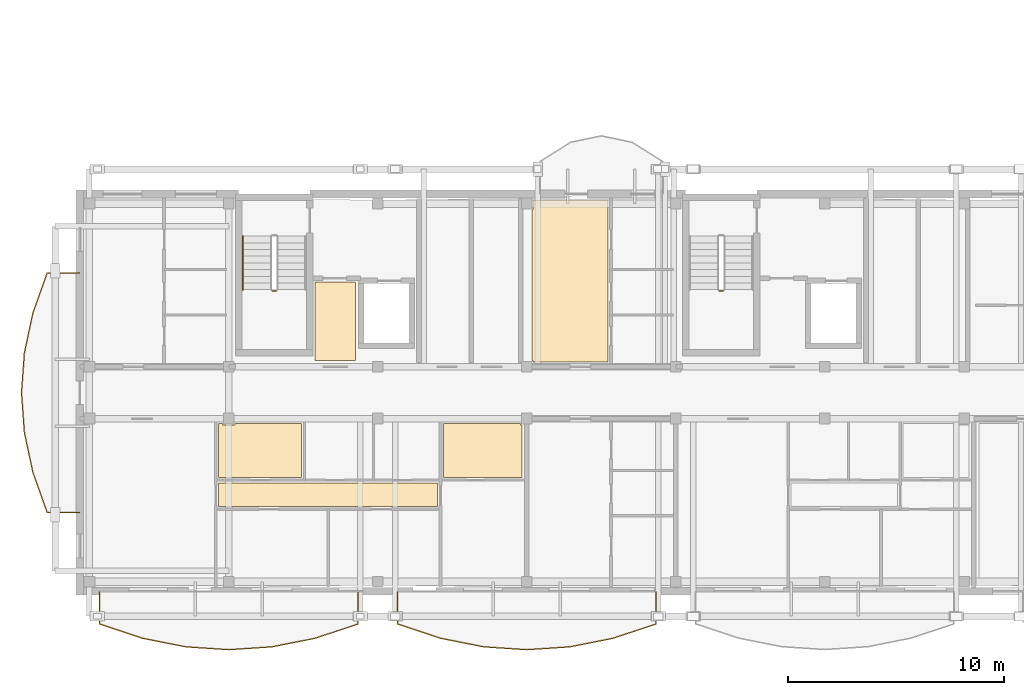
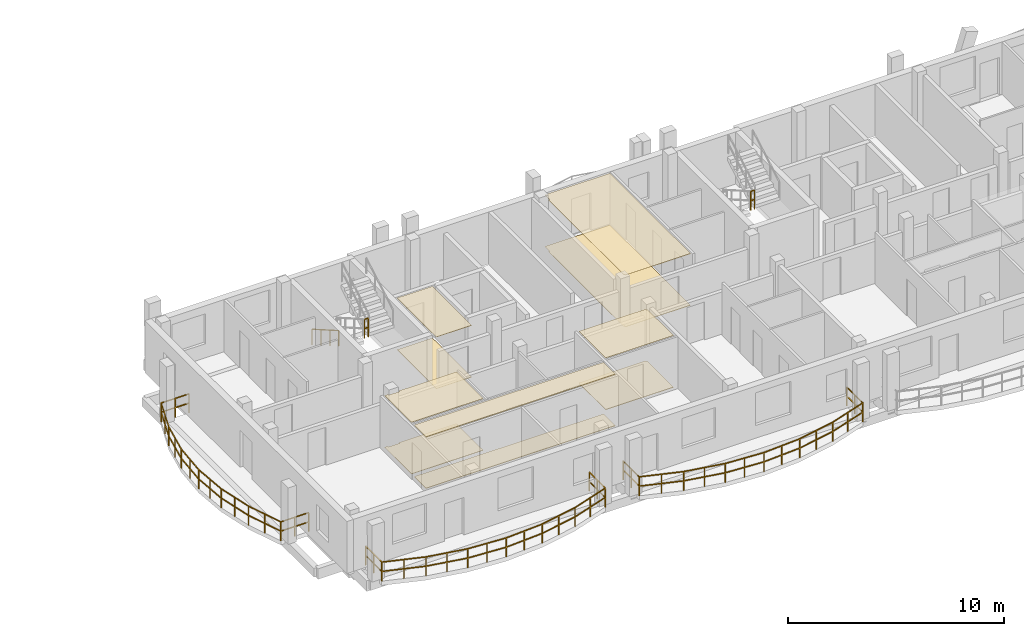
# One storey, part 35 of 44: 10 coverings, 6 railings.
"""IFC4 building model written with IfcOpenShell, lengths in metres."""

from ifc_helpers import new_model, si_unit, direction, frame, origin, origin_2d, place, context, subcontext, project, spatial, polyline, rectangle, outline, extrude, material, layer, layer_set, type_object, element, save


model = new_model("IFC4")

# Units and contexts
model_context = context("Model", 3, precision=1e-05, world=origin(), true_north=direction((0.0, 1.0)))
body_context = subcontext(model_context, "Body", "Model", "MODEL_VIEW")
ifc_project = project(units=[si_unit("LENGTHUNIT", "METRE"), si_unit("AREAUNIT", "SQUARE_METRE"), si_unit("VOLUMEUNIT", "CUBIC_METRE"), si_unit("PLANEANGLEUNIT", "RADIAN"), si_unit("MASSUNIT", "GRAM", prefix="KILO")], contexts=[model_context])

# Site, building, storey
site_placement = place(None, origin())
site = spatial("IfcSite", under=ifc_project, at=site_placement, CompositionType="ELEMENT")
building_placement = place(site_placement, origin())
building = spatial("IfcBuilding", under=site, at=building_placement, Name="Zavelmont Quarter", CompositionType="ELEMENT")
storey_placement = place(building_placement, frame((0.0, 0.0, 20.800048828125)))
storey = spatial("IfcBuildingStorey", under=building, at=storey_placement, Name="L06", CompositionType="ELEMENT", Elevation=20.800048828125)

# Coverings
ifc_material_1 = material(Name="Perforated acoustic gypsum board")
ifc_layer_1 = layer(ifc_material_1, 0.02490234375)
ifc_layer_set_1 = layer_set([ifc_layer_1], Name="Perforated acoustic gypsum board")
covering_type_1 = type_object("IfcCoveringType", Name="CV-CL01", PredefinedType="CEILING", material=ifc_layer_set_1)
covering_1_placement = place(storey_placement, frame((0.0, 0.0, 2.925048828125)))
element("IfcCovering", 1, at=covering_1_placement, inside=storey, type_object=covering_type_1, Name="L06 Lobby Vestibule acoustic ceiling", PredefinedType="CEILING", context=body_context, shape_type="SweptSolid", body=[
    extrude(outline(polyline([(10.8798828125, 14.320068359375), (12.77001953125, 14.320068359375), (12.77001953125, 10.679931640625), (10.8798828125, 10.679931640625), (10.8798828125, 14.320068359375)])), origin(), (0.0, 0.0, 1.0), 0.02490234375),
])
covering_2_placement = place(storey_placement, frame((0.0, 0.0, 2.925048828125)))
element("IfcCovering", 2, at=covering_2_placement, inside=storey, type_object=covering_type_1, Name="L06 Kitchen acoustic ceiling", PredefinedType="CEILING", context=body_context, shape_type="SweptSolid", body=[
    extrude(outline(polyline([(6.429931640625, 7.77001953125), (6.610107421875, 7.77001953125), (6.610107421875, 7.7099609375), (7.18994140625, 7.7099609375), (7.18994140625, 7.77001953125), (10.27001953125, 7.77001953125), (10.27001953125, 5.280029296875), (6.429931640625, 5.280029296875), (6.429931640625, 7.77001953125)])), origin(), (0.0, 0.0, 1.0), 0.02490234375),
])
covering_3_placement = place(storey_placement, frame((0.0, 0.0, 2.925048828125)))
element("IfcCovering", 3, at=covering_3_placement, inside=storey, type_object=covering_type_1, Name="L06 Living Dining acoustic ceiling", PredefinedType="CEILING", context=body_context, shape_type="SweptSolid", body=[
    extrude(outline(polyline([(20.929931640625, 17.669921875), (20.989990234375, 17.669921875), (20.989990234375, 18.1201171875), (24.469970703125, 18.1201171875), (24.469970703125, 10.6298828125), (20.989990234375, 10.6298828125), (20.989990234375, 10.68994140625), (20.929931640625, 10.68994140625), (20.929931640625, 17.669921875)])), origin(), (0.0, 0.0, 1.0), 0.02490234375),
])
ifc_material_2 = material(Name="Slatted European ash acoustic baffle ceiling")
ifc_layer_2 = layer(ifc_material_2, 0.0400390625)
ifc_layer_set_2 = layer_set([ifc_layer_2], Name="Slatted European ash acoustic baffle ceiling")
covering_type_2 = type_object("IfcCoveringType", Name="CV-CL02", PredefinedType="CEILING", material=ifc_layer_set_2)
covering_4_placement = place(storey_placement, frame((0.0, 0.0, 2.909912109375)))
element("IfcCovering", 4, at=covering_4_placement, inside=storey, type_object=covering_type_2, Name="L06 Apartment Hall acoustic ceiling", PredefinedType="CEILING", context=body_context, shape_type="SweptSolid", body=[
    extrude(outline(polyline([(6.429931640625, 5.02001953125), (16.570068359375, 5.02001953125), (16.570068359375, 3.929931640625), (6.429931640625, 3.929931640625), (6.429931640625, 5.02001953125)])), origin(), (0.0, 0.0, 1.0), 0.0400390625),
])
ifc_material_3 = material(Name="Moisture-resistant painted gypsum ceiling")
ifc_layer_3 = layer(ifc_material_3, 0.02001953125)
ifc_layer_set_3 = layer_set([ifc_layer_3], Name="Moisture-resistant painted gypsum ceiling")
covering_type_3 = type_object("IfcCoveringType", Name="CV-CL04", PredefinedType="CEILING", material=ifc_layer_set_3)
covering_5_placement = place(storey_placement, frame((0.0, 0.0, 2.929931640625)))
element("IfcCovering", 5, at=covering_5_placement, inside=storey, type_object=covering_type_3, Name="L06 Bathroom acoustic ceiling", PredefinedType="CEILING", context=body_context, shape_type="SweptSolid", body=[
    extrude(outline(polyline([(16.830078125, 7.77001953125), (20.409912109375, 7.77001953125), (20.409912109375, 7.7099609375), (20.469970703125, 7.7099609375), (20.469970703125, 5.280029296875), (16.830078125, 5.280029296875), (16.830078125, 7.77001953125)])), origin(), (0.0, 0.0, 1.0), 0.02001953125),
])
ifc_material_4 = material(Name="Engineered European oak parquet")
ifc_layer_4 = layer(ifc_material_4, 0.02197265625)
ifc_layer_set_4 = layer_set([ifc_layer_4], Name="Engineered European oak parquet")
covering_type_4 = type_object("IfcCoveringType", Name="CV-FL01", PredefinedType="FLOORING", material=ifc_layer_set_4)
covering_6_placement = place(storey_placement, origin())
element("IfcCovering", 6, at=covering_6_placement, inside=storey, type_object=covering_type_4, Name="L06 Lobby Vestibule floor finish", PredefinedType="FLOORING", context=body_context, shape_type="SweptSolid", body=[
    extrude(outline(polyline([(10.8798828125, 14.320068359375), (12.77001953125, 14.320068359375), (12.77001953125, 10.679931640625), (10.8798828125, 10.679931640625), (10.8798828125, 14.320068359375)])), origin(), (0.0, 0.0, 1.0), 0.02197265625),
])
covering_7_placement = place(storey_placement, origin())
element("IfcCovering", 7, at=covering_7_placement, inside=storey, type_object=covering_type_4, Name="L06 Kitchen floor finish", PredefinedType="FLOORING", context=body_context, shape_type="SweptSolid", body=[
    extrude(outline(polyline([(6.429931640625, 7.77001953125), (6.610107421875, 7.77001953125), (6.610107421875, 7.7099609375), (7.18994140625, 7.7099609375), (7.18994140625, 7.77001953125), (10.27001953125, 7.77001953125), (10.27001953125, 5.280029296875), (6.429931640625, 5.280029296875), (6.429931640625, 7.77001953125)])), origin(), (0.0, 0.0, 1.0), 0.02197265625),
])
covering_8_placement = place(storey_placement, origin())
element("IfcCovering", 8, at=covering_8_placement, inside=storey, type_object=covering_type_4, Name="L06 Living Dining floor finish", PredefinedType="FLOORING", context=body_context, shape_type="SweptSolid", body=[
    extrude(outline(polyline([(20.929931640625, 17.669921875), (20.989990234375, 17.669921875), (20.989990234375, 18.1201171875), (24.469970703125, 18.1201171875), (24.469970703125, 10.6298828125), (20.989990234375, 10.6298828125), (20.989990234375, 10.68994140625), (20.929931640625, 10.68994140625), (20.929931640625, 17.669921875)])), origin(), (0.0, 0.0, 1.0), 0.02197265625),
])
ifc_material_5 = material(Name="Honed Belgian bluestone tile", Category="masonry")
ifc_layer_5 = layer(ifc_material_5, 0.030029296875)
ifc_layer_set_5 = layer_set([ifc_layer_5], Name="Honed Belgian bluestone tile")
covering_type_5 = type_object("IfcCoveringType", Name="CV-FL02", PredefinedType="FLOORING", material=ifc_layer_set_5)
covering_9_placement = place(storey_placement, origin())
element("IfcCovering", 9, at=covering_9_placement, inside=storey, type_object=covering_type_5, Name="L06 Apartment Hall floor finish", PredefinedType="FLOORING", context=body_context, shape_type="SweptSolid", body=[
    extrude(outline(polyline([(6.429931640625, 5.02001953125), (16.570068359375, 5.02001953125), (16.570068359375, 3.929931640625), (6.429931640625, 3.929931640625), (6.429931640625, 5.02001953125)])), origin(), (0.0, 0.0, 1.0), 0.030029296875),
])
ifc_material_6 = material(Name="Slip-resistant porcelain tile")
ifc_layer_6 = layer(ifc_material_6, 0.02587890625)
ifc_layer_set_6 = layer_set([ifc_layer_6], Name="Slip-resistant porcelain tile")
covering_type_6 = type_object("IfcCoveringType", Name="CV-FL04", PredefinedType="FLOORING", material=ifc_layer_set_6)
covering_10_placement = place(storey_placement, origin())
element("IfcCovering", 10, at=covering_10_placement, inside=storey, type_object=covering_type_6, Name="L06 Bathroom floor finish", PredefinedType="FLOORING", context=body_context, shape_type="SweptSolid", body=[
    extrude(outline(polyline([(16.830078125, 7.77001953125), (20.409912109375, 7.77001953125), (20.409912109375, 7.7099609375), (20.469970703125, 7.7099609375), (20.469970703125, 5.280029296875), (16.830078125, 5.280029296875), (16.830078125, 7.77001953125)])), origin(), (0.0, 0.0, 1.0), 0.02587890625),
])

# Railings
ifc_material_7 = material(Name="Powder-coated steel and tempered double safety glass", Category="steel")
railing_type_1 = type_object("IfcRailingType", Name="RL-BAL1", PredefinedType="BALUSTRADE", material=ifc_material_7)
railing_1_placement = place(storey_placement, frame((0.912109375, -0.02001953125, 0.0)))
element("IfcRailing", 11, at=railing_1_placement, inside=storey, type_object=railing_type_1, Name="L06 Block A curved balcony guard RL-BAL1", PredefinedType="BALUSTRADE", context=body_context, shape_type="SweptSolid", body=[
    extrude(rectangle(XDim=0.048095703125, YDim=0.048095703125, at=origin_2d()), frame((0.0, 0.0, 1.076171875), z_axis=(0.0, -1.0, 0.0), x_axis=(1.0, 0.0, 0.0)), (0.0, 0.0, 1.0), 1.494873046875),
    extrude(rectangle(XDim=0.048095703125, YDim=0.048095703125, at=origin_2d()), frame((0.0, 0.0, 0.550048828125), z_axis=(0.0, -1.0, 0.0), x_axis=(1.0, 0.0, 0.0)), (0.0, 0.0, 1.0), 1.494873046875),
    extrude(rectangle(XDim=0.048095703125, YDim=0.048095703125, at=origin_2d()), frame((0.0, -1.494873046875, 1.076171875), z_axis=(0.949285321886, -0.314415930977, 0.0), x_axis=(0.314415930977, 0.949285321886, 0.0)), (0.0, 0.0, 1.0), 2.102783203125),
    extrude(rectangle(XDim=0.048095703125, YDim=0.048095703125, at=origin_2d()), frame((0.0, -1.494873046875, 0.550048828125), z_axis=(0.949285321886, -0.314415930977, 0.0), x_axis=(0.314415930977, 0.949285321886, 0.0)), (0.0, 0.0, 1.0), 2.102783203125),
    extrude(rectangle(XDim=0.048095703125, YDim=0.048095703125, at=origin_2d()), frame((1.99609375, -2.156005859375, 1.076171875), z_axis=(0.980810721794, -0.194962375892, 0.0), x_axis=(0.194962375892, 0.980810721794, 0.0)), (0.0, 0.0, 1.0), 2.034912109375),
    extrude(rectangle(XDim=0.048095703125, YDim=0.048095703125, at=origin_2d()), frame((1.99609375, -2.156005859375, 0.550048828125), z_axis=(0.980810721794, -0.194962375892, 0.0), x_axis=(0.194962375892, 0.980810721794, 0.0)), (0.0, 0.0, 1.0), 2.034912109375),
    extrude(rectangle(XDim=0.048095703125, YDim=0.048095703125, at=origin_2d()), frame((3.991943359375, -2.552734375, 1.076171875), z_axis=(0.997809394486, -0.066154457714, 0.0), x_axis=(0.066154457714, 0.997809394486, 0.0)), (0.0, 0.0, 1.0), 2.000244140625),
    extrude(rectangle(XDim=0.048095703125, YDim=0.048095703125, at=origin_2d()), frame((3.991943359375, -2.552734375, 0.550048828125), z_axis=(0.997809394486, -0.066154457714, 0.0), x_axis=(0.066154457714, 0.997809394486, 0.0)), (0.0, 0.0, 1.0), 2.000244140625),
    extrude(rectangle(XDim=0.048095703125, YDim=0.048095703125, at=origin_2d()), frame((5.98779296875, -2.68505859375, 1.076171875), z_axis=(0.997809928557, 0.06614640182, 0.0), x_axis=(-0.06614640182, 0.997809928557, 0.0)), (0.0, 0.0, 1.0), 2.00048828125),
    extrude(rectangle(XDim=0.048095703125, YDim=0.048095703125, at=origin_2d()), frame((5.98779296875, -2.68505859375, 0.550048828125), z_axis=(0.997809928557, 0.06614640182, 0.0), x_axis=(-0.06614640182, 0.997809928557, 0.0)), (0.0, 0.0, 1.0), 2.00048828125),
    extrude(rectangle(XDim=0.048095703125, YDim=0.048095703125, at=origin_2d()), frame((7.98388671875, -2.552734375, 1.076171875), z_axis=(0.980810721794, 0.194962375892, 0.0), x_axis=(-0.194962375892, 0.980810721794, 0.0)), (0.0, 0.0, 1.0), 2.034912109375),
    extrude(rectangle(XDim=0.048095703125, YDim=0.048095703125, at=origin_2d()), frame((7.98388671875, -2.552734375, 0.550048828125), z_axis=(0.980810721794, 0.194962375892, 0.0), x_axis=(-0.194962375892, 0.980810721794, 0.0)), (0.0, 0.0, 1.0), 2.034912109375),
    extrude(rectangle(XDim=0.048095703125, YDim=0.048095703125, at=origin_2d()), frame((9.979736328125, -2.156005859375, 1.076171875), z_axis=(0.949273842021, 0.314450588892, 0.0), x_axis=(-0.314450588892, 0.949273842021, 0.0)), (0.0, 0.0, 1.0), 2.1025390625),
    extrude(rectangle(XDim=0.048095703125, YDim=0.048095703125, at=origin_2d()), frame((9.979736328125, -2.156005859375, 0.550048828125), z_axis=(0.949273842021, 0.314450588892, 0.0), x_axis=(-0.314450588892, 0.949273842021, 0.0)), (0.0, 0.0, 1.0), 2.1025390625),
    extrude(rectangle(XDim=0.048095703125, YDim=0.048095703125, at=origin_2d()), frame((11.9755859375, -1.494873046875, 1.076171875), z_axis=(0.0, 1.0, 0.0), x_axis=(-1.0, 0.0, 0.0)), (0.0, 0.0, 1.0), 1.494873046875),
    extrude(rectangle(XDim=0.048095703125, YDim=0.048095703125, at=origin_2d()), frame((11.9755859375, -1.494873046875, 0.550048828125), z_axis=(0.0, 1.0, 0.0), x_axis=(-1.0, 0.0, 0.0)), (0.0, 0.0, 1.0), 1.494873046875),
    extrude(rectangle(XDim=0.0419921875, YDim=0.0419921875, at=origin_2d()), origin(), (0.0, 0.0, 1.0), 1.052001953125),
    extrude(rectangle(XDim=0.0419921875, YDim=0.0419921875, at=origin_2d()), frame((0.0, -0.74755859375, 0.0)), (0.0, 0.0, 1.0), 1.052001953125),
    extrude(rectangle(XDim=0.0419921875, YDim=0.0419921875, at=origin_2d()), frame((0.0, -1.494873046875, 0.0)), (0.0, 0.0, 1.0), 1.052001953125),
    extrude(rectangle(XDim=0.0419921875, YDim=0.0419921875, at=origin_2d()), frame((0.998046875, -1.825439453125, 0.0)), (0.0, 0.0, 1.0), 1.052001953125),
    extrude(rectangle(XDim=0.0419921875, YDim=0.0419921875, at=origin_2d()), frame((1.99609375, -2.156005859375, 0.0)), (0.0, 0.0, 1.0), 1.052001953125),
    extrude(rectangle(XDim=0.0419921875, YDim=0.0419921875, at=origin_2d()), frame((2.994140625, -2.3544921875, 0.0)), (0.0, 0.0, 1.0), 1.052001953125),
    extrude(rectangle(XDim=0.0419921875, YDim=0.0419921875, at=origin_2d()), frame((3.991943359375, -2.552734375, 0.0)), (0.0, 0.0, 1.0), 1.052001953125),
    extrude(rectangle(XDim=0.0419921875, YDim=0.0419921875, at=origin_2d()), frame((4.98974609375, -2.618896484375, 0.0)), (0.0, 0.0, 1.0), 1.052001953125),
    extrude(rectangle(XDim=0.0419921875, YDim=0.0419921875, at=origin_2d()), frame((5.98779296875, -2.68505859375, 0.0)), (0.0, 0.0, 1.0), 1.052001953125),
    extrude(rectangle(XDim=0.0419921875, YDim=0.0419921875, at=origin_2d()), frame((6.98583984375, -2.618896484375, 0.0)), (0.0, 0.0, 1.0), 1.052001953125),
    extrude(rectangle(XDim=0.0419921875, YDim=0.0419921875, at=origin_2d()), frame((7.98388671875, -2.552734375, 0.0)), (0.0, 0.0, 1.0), 1.052001953125),
    extrude(rectangle(XDim=0.0419921875, YDim=0.0419921875, at=origin_2d()), frame((8.98193359375, -2.3544921875, 0.0)), (0.0, 0.0, 1.0), 1.052001953125),
    extrude(rectangle(XDim=0.0419921875, YDim=0.0419921875, at=origin_2d()), frame((9.979736328125, -2.156005859375, 0.0)), (0.0, 0.0, 1.0), 1.052001953125),
    extrude(rectangle(XDim=0.0419921875, YDim=0.0419921875, at=origin_2d()), frame((10.9775390625, -1.825439453125, 0.0)), (0.0, 0.0, 1.0), 1.052001953125),
    extrude(rectangle(XDim=0.0419921875, YDim=0.0419921875, at=origin_2d()), frame((11.9755859375, -1.494873046875, 0.0)), (0.0, 0.0, 1.0), 1.052001953125),
    extrude(rectangle(XDim=0.0419921875, YDim=0.0419921875, at=origin_2d()), frame((11.9755859375, -0.74755859375, 0.0)), (0.0, 0.0, 1.0), 1.052001953125),
    extrude(rectangle(XDim=0.0419921875, YDim=0.0419921875, at=origin_2d()), frame((11.9755859375, 0.0, 0.0)), (0.0, 0.0, 1.0), 1.052001953125),
])
railing_2_placement = place(storey_placement, frame((14.712158203125, -0.02001953125, 0.0)))
element("IfcRailing", 12, at=railing_2_placement, inside=storey, type_object=railing_type_1, Name="L06 Block A curved balcony guard RL-BAL1", PredefinedType="BALUSTRADE", context=body_context, shape_type="SweptSolid", body=[
    extrude(rectangle(XDim=0.048095703125, YDim=0.048095703125, at=origin_2d()), frame((0.0, 0.0, 1.076171875), z_axis=(0.0, -1.0, 0.0), x_axis=(1.0, 0.0, 0.0)), (0.0, 0.0, 1.0), 1.494873046875),
    extrude(rectangle(XDim=0.048095703125, YDim=0.048095703125, at=origin_2d()), frame((0.0, 0.0, 0.550048828125), z_axis=(0.0, -1.0, 0.0), x_axis=(1.0, 0.0, 0.0)), (0.0, 0.0, 1.0), 1.494873046875),
    extrude(rectangle(XDim=0.048095703125, YDim=0.048095703125, at=origin_2d()), frame((0.0, -1.494873046875, 1.076171875), z_axis=(0.949273842021, -0.314450588892, 0.0), x_axis=(0.314450588892, 0.949273842021, 0.0)), (0.0, 0.0, 1.0), 2.1025390625),
    extrude(rectangle(XDim=0.048095703125, YDim=0.048095703125, at=origin_2d()), frame((0.0, -1.494873046875, 0.550048828125), z_axis=(0.949273842021, -0.314450588892, 0.0), x_axis=(0.314450588892, 0.949273842021, 0.0)), (0.0, 0.0, 1.0), 2.1025390625),
    extrude(rectangle(XDim=0.048095703125, YDim=0.048095703125, at=origin_2d()), frame((1.995849609375, -2.156005859375, 1.076171875), z_axis=(0.980815281349, -0.194939436423, 0.0), x_axis=(0.194939436423, 0.980815281349, 0.0)), (0.0, 0.0, 1.0), 2.03515625),
    extrude(rectangle(XDim=0.048095703125, YDim=0.048095703125, at=origin_2d()), frame((1.995849609375, -2.156005859375, 0.550048828125), z_axis=(0.980815281349, -0.194939436423, 0.0), x_axis=(0.194939436423, 0.980815281349, 0.0)), (0.0, 0.0, 1.0), 2.03515625),
    extrude(rectangle(XDim=0.048095703125, YDim=0.048095703125, at=origin_2d()), frame((3.991943359375, -2.552734375, 1.076171875), z_axis=(0.997809394486, -0.066154457714, 0.0), x_axis=(0.066154457714, 0.997809394486, 0.0)), (0.0, 0.0, 1.0), 2.000244140625),
    extrude(rectangle(XDim=0.048095703125, YDim=0.048095703125, at=origin_2d()), frame((3.991943359375, -2.552734375, 0.550048828125), z_axis=(0.997809394486, -0.066154457714, 0.0), x_axis=(0.066154457714, 0.997809394486, 0.0)), (0.0, 0.0, 1.0), 2.000244140625),
    extrude(rectangle(XDim=0.048095703125, YDim=0.048095703125, at=origin_2d()), frame((5.98779296875, -2.68505859375, 1.076171875), z_axis=(0.997809394486, 0.066154457714, 0.0), x_axis=(-0.066154457714, 0.997809394486, 0.0)), (0.0, 0.0, 1.0), 2.000244140625),
    extrude(rectangle(XDim=0.048095703125, YDim=0.048095703125, at=origin_2d()), frame((5.98779296875, -2.68505859375, 0.550048828125), z_axis=(0.997809394486, 0.066154457714, 0.0), x_axis=(-0.066154457714, 0.997809394486, 0.0)), (0.0, 0.0, 1.0), 2.000244140625),
    extrude(rectangle(XDim=0.048095703125, YDim=0.048095703125, at=origin_2d()), frame((7.983642578125, -2.552734375, 1.076171875), z_axis=(0.980815281349, 0.194939436423, 0.0), x_axis=(-0.194939436423, 0.980815281349, 0.0)), (0.0, 0.0, 1.0), 2.03515625),
    extrude(rectangle(XDim=0.048095703125, YDim=0.048095703125, at=origin_2d()), frame((7.983642578125, -2.552734375, 0.550048828125), z_axis=(0.980815281349, 0.194939436423, 0.0), x_axis=(-0.194939436423, 0.980815281349, 0.0)), (0.0, 0.0, 1.0), 2.03515625),
    extrude(rectangle(XDim=0.048095703125, YDim=0.048095703125, at=origin_2d()), frame((9.979736328125, -2.156005859375, 1.076171875), z_axis=(0.949273842021, 0.314450588892, 0.0), x_axis=(-0.314450588892, 0.949273842021, 0.0)), (0.0, 0.0, 1.0), 2.1025390625),
    extrude(rectangle(XDim=0.048095703125, YDim=0.048095703125, at=origin_2d()), frame((9.979736328125, -2.156005859375, 0.550048828125), z_axis=(0.949273842021, 0.314450588892, 0.0), x_axis=(-0.314450588892, 0.949273842021, 0.0)), (0.0, 0.0, 1.0), 2.1025390625),
    extrude(rectangle(XDim=0.048095703125, YDim=0.048095703125, at=origin_2d()), frame((11.9755859375, -1.494873046875, 1.076171875), z_axis=(0.0, 1.0, 0.0), x_axis=(-1.0, 0.0, 0.0)), (0.0, 0.0, 1.0), 1.494873046875),
    extrude(rectangle(XDim=0.048095703125, YDim=0.048095703125, at=origin_2d()), frame((11.9755859375, -1.494873046875, 0.550048828125), z_axis=(0.0, 1.0, 0.0), x_axis=(-1.0, 0.0, 0.0)), (0.0, 0.0, 1.0), 1.494873046875),
    extrude(rectangle(XDim=0.0419921875, YDim=0.0419921875, at=origin_2d()), origin(), (0.0, 0.0, 1.0), 1.052001953125),
    extrude(rectangle(XDim=0.0419921875, YDim=0.0419921875, at=origin_2d()), frame((0.0, -0.74755859375, 0.0)), (0.0, 0.0, 1.0), 1.052001953125),
    extrude(rectangle(XDim=0.0419921875, YDim=0.0419921875, at=origin_2d()), frame((0.0, -1.494873046875, 0.0)), (0.0, 0.0, 1.0), 1.052001953125),
    extrude(rectangle(XDim=0.0419921875, YDim=0.0419921875, at=origin_2d()), frame((0.998046875, -1.825439453125, 0.0)), (0.0, 0.0, 1.0), 1.052001953125),
    extrude(rectangle(XDim=0.0419921875, YDim=0.0419921875, at=origin_2d()), frame((1.995849609375, -2.156005859375, 0.0)), (0.0, 0.0, 1.0), 1.052001953125),
    extrude(rectangle(XDim=0.0419921875, YDim=0.0419921875, at=origin_2d()), frame((2.993896484375, -2.3544921875, 0.0)), (0.0, 0.0, 1.0), 1.052001953125),
    extrude(rectangle(XDim=0.0419921875, YDim=0.0419921875, at=origin_2d()), frame((3.991943359375, -2.552734375, 0.0)), (0.0, 0.0, 1.0), 1.052001953125),
    extrude(rectangle(XDim=0.0419921875, YDim=0.0419921875, at=origin_2d()), frame((4.98974609375, -2.618896484375, 0.0)), (0.0, 0.0, 1.0), 1.052001953125),
    extrude(rectangle(XDim=0.0419921875, YDim=0.0419921875, at=origin_2d()), frame((5.98779296875, -2.68505859375, 0.0)), (0.0, 0.0, 1.0), 1.052001953125),
    extrude(rectangle(XDim=0.0419921875, YDim=0.0419921875, at=origin_2d()), frame((6.98583984375, -2.618896484375, 0.0)), (0.0, 0.0, 1.0), 1.052001953125),
    extrude(rectangle(XDim=0.0419921875, YDim=0.0419921875, at=origin_2d()), frame((7.983642578125, -2.552734375, 0.0)), (0.0, 0.0, 1.0), 1.052001953125),
    extrude(rectangle(XDim=0.0419921875, YDim=0.0419921875, at=origin_2d()), frame((8.981689453125, -2.3544921875, 0.0)), (0.0, 0.0, 1.0), 1.052001953125),
    extrude(rectangle(XDim=0.0419921875, YDim=0.0419921875, at=origin_2d()), frame((9.979736328125, -2.156005859375, 0.0)), (0.0, 0.0, 1.0), 1.052001953125),
    extrude(rectangle(XDim=0.0419921875, YDim=0.0419921875, at=origin_2d()), frame((10.9775390625, -1.825439453125, 0.0)), (0.0, 0.0, 1.0), 1.052001953125),
    extrude(rectangle(XDim=0.0419921875, YDim=0.0419921875, at=origin_2d()), frame((11.9755859375, -1.494873046875, 0.0)), (0.0, 0.0, 1.0), 1.052001953125),
    extrude(rectangle(XDim=0.0419921875, YDim=0.0419921875, at=origin_2d()), frame((11.9755859375, -0.74755859375, 0.0)), (0.0, 0.0, 1.0), 1.052001953125),
    extrude(rectangle(XDim=0.0419921875, YDim=0.0419921875, at=origin_2d()), frame((11.9755859375, 0.0, 0.0)), (0.0, 0.0, 1.0), 1.052001953125),
])
railing_3_placement = place(storey_placement, frame((-0.02001953125, 14.75, 0.0)))
element("IfcRailing", 13, at=railing_3_placement, inside=storey, type_object=railing_type_1, Name="L06 Block A curved balcony guard RL-BAL1", PredefinedType="BALUSTRADE", context=body_context, shape_type="SweptSolid", body=[
    extrude(rectangle(XDim=0.048095703125, YDim=0.048095703125, at=origin_2d()), frame((0.0, 0.0, 1.076171875), z_axis=(-1.0, 0.0, 0.0), x_axis=(0.0, -1.0, 0.0)), (0.0, 0.0, 1.0), 1.494873046875),
    extrude(rectangle(XDim=0.048095703125, YDim=0.048095703125, at=origin_2d()), frame((0.0, 0.0, 0.550048828125), z_axis=(-1.0, 0.0, 0.0), x_axis=(0.0, -1.0, 0.0)), (0.0, 0.0, 1.0), 1.494873046875),
    extrude(rectangle(XDim=0.048095703125, YDim=0.048095703125, at=origin_2d()), frame((-1.494873046875, 0.0, 1.076171875), z_axis=(-0.336509575089, -0.941680044322, 0.0), x_axis=(0.941680044322, -0.336509575089, 0.0)), (0.0, 0.0, 1.0), 1.964599609375),
    extrude(rectangle(XDim=0.048095703125, YDim=0.048095703125, at=origin_2d()), frame((-1.494873046875, 0.0, 0.550048828125), z_axis=(-0.336509575089, -0.941680044322, 0.0), x_axis=(0.941680044322, -0.336509575089, 0.0)), (0.0, 0.0, 1.0), 1.964599609375),
    extrude(rectangle(XDim=0.048095703125, YDim=0.048095703125, at=origin_2d()), frame((-2.156005859375, -1.85009765625, 1.076171875), z_axis=(-0.20969652814, -0.977766519209, 0.0), x_axis=(0.977766519209, -0.20969652814, 0.0)), (0.0, 0.0, 1.0), 1.891845703125),
    extrude(rectangle(XDim=0.048095703125, YDim=0.048095703125, at=origin_2d()), frame((-2.156005859375, -1.85009765625, 0.550048828125), z_axis=(-0.20969652814, -0.977766519209, 0.0), x_axis=(0.977766519209, -0.20969652814, 0.0)), (0.0, 0.0, 1.0), 1.891845703125),
    extrude(rectangle(XDim=0.048095703125, YDim=0.048095703125, at=origin_2d()), frame((-2.552734375, -3.699951171875, 1.076171875), z_axis=(-0.071340590074, -0.997452013988, 0.0), x_axis=(0.997452013988, -0.071340590074, 0.0)), (0.0, 0.0, 1.0), 1.854736328125),
    extrude(rectangle(XDim=0.048095703125, YDim=0.048095703125, at=origin_2d()), frame((-2.552734375, -3.699951171875, 0.550048828125), z_axis=(-0.071340590074, -0.997452013988, 0.0), x_axis=(0.997452013988, -0.071340590074, 0.0)), (0.0, 0.0, 1.0), 1.854736328125),
    extrude(rectangle(XDim=0.048095703125, YDim=0.048095703125, at=origin_2d()), frame((-2.68505859375, -5.550048828125, 1.076171875), z_axis=(0.071349957559, -0.997451343954, 0.0), x_axis=(0.997451343954, 0.071349957559, 0.0)), (0.0, 0.0, 1.0), 1.8544921875),
    extrude(rectangle(XDim=0.048095703125, YDim=0.048095703125, at=origin_2d()), frame((-2.68505859375, -5.550048828125, 0.550048828125), z_axis=(0.071349957559, -0.997451343954, 0.0), x_axis=(0.997451343954, 0.071349957559, 0.0)), (0.0, 0.0, 1.0), 1.8544921875),
    extrude(rectangle(XDim=0.048095703125, YDim=0.048095703125, at=origin_2d()), frame((-2.552734375, -7.39990234375, 1.076171875), z_axis=(0.209670072958, -0.977772192541, 0.0), x_axis=(0.977772192541, 0.209670072958, 0.0)), (0.0, 0.0, 1.0), 1.89208984375),
    extrude(rectangle(XDim=0.048095703125, YDim=0.048095703125, at=origin_2d()), frame((-2.552734375, -7.39990234375, 0.550048828125), z_axis=(0.209670072958, -0.977772192541, 0.0), x_axis=(0.977772192541, 0.209670072958, 0.0)), (0.0, 0.0, 1.0), 1.89208984375),
    extrude(rectangle(XDim=0.048095703125, YDim=0.048095703125, at=origin_2d()), frame((-2.156005859375, -9.25, 1.076171875), z_axis=(0.336509575089, -0.941680044322, 0.0), x_axis=(0.941680044322, 0.336509575089, 0.0)), (0.0, 0.0, 1.0), 1.964599609375),
    extrude(rectangle(XDim=0.048095703125, YDim=0.048095703125, at=origin_2d()), frame((-2.156005859375, -9.25, 0.550048828125), z_axis=(0.336509575089, -0.941680044322, 0.0), x_axis=(0.941680044322, 0.336509575089, 0.0)), (0.0, 0.0, 1.0), 1.964599609375),
    extrude(rectangle(XDim=0.048095703125, YDim=0.048095703125, at=origin_2d()), frame((-1.494873046875, -11.10009765625, 1.076171875), z_axis=(1.0, 0.0, 0.0), x_axis=(0.0, 1.0, 0.0)), (0.0, 0.0, 1.0), 1.494873046875),
    extrude(rectangle(XDim=0.048095703125, YDim=0.048095703125, at=origin_2d()), frame((-1.494873046875, -11.10009765625, 0.550048828125), z_axis=(1.0, 0.0, 0.0), x_axis=(0.0, 1.0, 0.0)), (0.0, 0.0, 1.0), 1.494873046875),
    extrude(rectangle(XDim=0.0419921875, YDim=0.0419921875, at=origin_2d()), origin(), (0.0, 0.0, 1.0), 1.052001953125),
    extrude(rectangle(XDim=0.0419921875, YDim=0.0419921875, at=origin_2d()), frame((-0.74755859375, 0.0, 0.0)), (0.0, 0.0, 1.0), 1.052001953125),
    extrude(rectangle(XDim=0.0419921875, YDim=0.0419921875, at=origin_2d()), frame((-1.494873046875, 0.0, 0.0)), (0.0, 0.0, 1.0), 1.052001953125),
    extrude(rectangle(XDim=0.0419921875, YDim=0.0419921875, at=origin_2d()), frame((-1.825439453125, -0.925048828125, 0.0)), (0.0, 0.0, 1.0), 1.052001953125),
    extrude(rectangle(XDim=0.0419921875, YDim=0.0419921875, at=origin_2d()), frame((-2.156005859375, -1.85009765625, 0.0)), (0.0, 0.0, 1.0), 1.052001953125),
    extrude(rectangle(XDim=0.0419921875, YDim=0.0419921875, at=origin_2d()), frame((-2.3544921875, -2.77490234375, 0.0)), (0.0, 0.0, 1.0), 1.052001953125),
    extrude(rectangle(XDim=0.0419921875, YDim=0.0419921875, at=origin_2d()), frame((-2.552734375, -3.699951171875, 0.0)), (0.0, 0.0, 1.0), 1.052001953125),
    extrude(rectangle(XDim=0.0419921875, YDim=0.0419921875, at=origin_2d()), frame((-2.618896484375, -4.625, 0.0)), (0.0, 0.0, 1.0), 1.052001953125),
    extrude(rectangle(XDim=0.0419921875, YDim=0.0419921875, at=origin_2d()), frame((-2.68505859375, -5.550048828125, 0.0)), (0.0, 0.0, 1.0), 1.052001953125),
    extrude(rectangle(XDim=0.0419921875, YDim=0.0419921875, at=origin_2d()), frame((-2.618896484375, -6.47509765625, 0.0)), (0.0, 0.0, 1.0), 1.052001953125),
    extrude(rectangle(XDim=0.0419921875, YDim=0.0419921875, at=origin_2d()), frame((-2.552734375, -7.39990234375, 0.0)), (0.0, 0.0, 1.0), 1.052001953125),
    extrude(rectangle(XDim=0.0419921875, YDim=0.0419921875, at=origin_2d()), frame((-2.3544921875, -8.324951171875, 0.0)), (0.0, 0.0, 1.0), 1.052001953125),
    extrude(rectangle(XDim=0.0419921875, YDim=0.0419921875, at=origin_2d()), frame((-2.156005859375, -9.25, 0.0)), (0.0, 0.0, 1.0), 1.052001953125),
    extrude(rectangle(XDim=0.0419921875, YDim=0.0419921875, at=origin_2d()), frame((-1.825439453125, -10.175048828125, 0.0)), (0.0, 0.0, 1.0), 1.052001953125),
    extrude(rectangle(XDim=0.0419921875, YDim=0.0419921875, at=origin_2d()), frame((-1.494873046875, -11.10009765625, 0.0)), (0.0, 0.0, 1.0), 1.052001953125),
    extrude(rectangle(XDim=0.0419921875, YDim=0.0419921875, at=origin_2d()), frame((-0.74755859375, -11.10009765625, 0.0)), (0.0, 0.0, 1.0), 1.052001953125),
    extrude(rectangle(XDim=0.0419921875, YDim=0.0419921875, at=origin_2d()), frame((0.0, -11.10009765625, 0.0)), (0.0, 0.0, 1.0), 1.052001953125),
])
ifc_material_8 = material(Name="Powder-coated steel stair guardrail", Category="steel")
railing_type_2 = type_object("IfcRailingType", Name="RL-GRD1", PredefinedType="GUARDRAIL", material=ifc_material_8)
railing_4_placement = place(storey_placement, frame((8.89990234375, 13.919921875, 1.599853515625)))
element("IfcRailing", 14, at=railing_4_placement, inside=storey, type_object=railing_type_2, Name="L06 ST01 stair guardrail 2", PredefinedType="GUARDRAIL", context=body_context, shape_type="SweptSolid", body=[
    extrude(rectangle(XDim=0.048095703125, YDim=0.048095703125, at=origin_2d()), frame((0.0, 0.0, 1.076171875), z_axis=(1.0, 0.0, 0.0), x_axis=(0.0, 1.0, 0.0)), (0.0, 0.0, 1.0), 0.2001953125),
    extrude(rectangle(XDim=0.048095703125, YDim=0.048095703125, at=origin_2d()), frame((0.0, 0.0, 0.550048828125), z_axis=(1.0, 0.0, 0.0), x_axis=(0.0, 1.0, 0.0)), (0.0, 0.0, 1.0), 0.2001953125),
    extrude(rectangle(XDim=0.0419921875, YDim=0.0419921875, at=origin_2d()), origin(), (0.0, 0.0, 1.0), 1.052001953125),
    extrude(rectangle(XDim=0.0419921875, YDim=0.0419921875, at=origin_2d()), frame((0.2001953125, 0.0, 0.0)), (0.0, 0.0, 1.0), 1.052001953125),
])
railing_5_placement = place(storey_placement, frame((29.60009765625, 13.919921875, 1.599853515625)))
element("IfcRailing", 15, at=railing_5_placement, inside=storey, type_object=railing_type_2, Name="L06 ST02 stair guardrail 2", PredefinedType="GUARDRAIL", context=body_context, shape_type="SweptSolid", body=[
    extrude(rectangle(XDim=0.048095703125, YDim=0.048095703125, at=origin_2d()), frame((0.0, 0.0, 1.076171875), z_axis=(1.0, 0.0, 0.0), x_axis=(0.0, 1.0, 0.0)), (0.0, 0.0, 1.0), 0.199951171875),
    extrude(rectangle(XDim=0.048095703125, YDim=0.048095703125, at=origin_2d()), frame((0.0, 0.0, 0.550048828125), z_axis=(1.0, 0.0, 0.0), x_axis=(0.0, 1.0, 0.0)), (0.0, 0.0, 1.0), 0.199951171875),
    extrude(rectangle(XDim=0.0419921875, YDim=0.0419921875, at=origin_2d()), origin(), (0.0, 0.0, 1.0), 1.052001953125),
    extrude(rectangle(XDim=0.0419921875, YDim=0.0419921875, at=origin_2d()), frame((0.199951171875, 0.0, 0.0)), (0.0, 0.0, 1.0), 1.052001953125),
])
ifc_material_9 = material(Name="Brushed stainless-steel wall handrail", Category="steel")
railing_type_3 = type_object("IfcRailingType", Name="RL-HND1", PredefinedType="HANDRAIL", material=ifc_material_9)
railing_6_placement = place(storey_placement, frame((7.550048828125, 16.449951171875, 0.177734375)))
element("IfcRailing", 16, at=railing_6_placement, inside=storey, type_object=railing_type_3, Name="L06 ST01 stair handrail 1", PredefinedType="HANDRAIL", context=body_context, shape_type="SweptSolid", body=[
    extrude(rectangle(XDim=0.048095703125, YDim=0.048095703125, at=origin_2d()), frame((0.0, 0.0, 0.8759765625), z_axis=(0.0, -0.867490628297, 0.497453525283), x_axis=(1.0, 0.0, 0.0)), (0.0, 0.0, 1.0), 2.85888671875),
    extrude(rectangle(XDim=0.0419921875, YDim=0.0419921875, at=origin_2d()), origin(), (0.0, 0.0, 1.0), 0.851806640625),
    extrude(rectangle(XDim=0.0419921875, YDim=0.0419921875, at=origin_2d()), frame((0.0, -0.82666015625, 0.47412109375)), (0.0, 0.0, 1.0), 0.851806640625),
    extrude(rectangle(XDim=0.0419921875, YDim=0.0419921875, at=origin_2d()), frame((0.0, -1.6533203125, 0.947998046875)), (0.0, 0.0, 1.0), 0.851806640625),
    extrude(rectangle(XDim=0.0419921875, YDim=0.0419921875, at=origin_2d()), frame((0.0, -2.47998046875, 1.422119140625)), (0.0, 0.0, 1.0), 0.851806640625),
])

save(model, "model.ifc")
